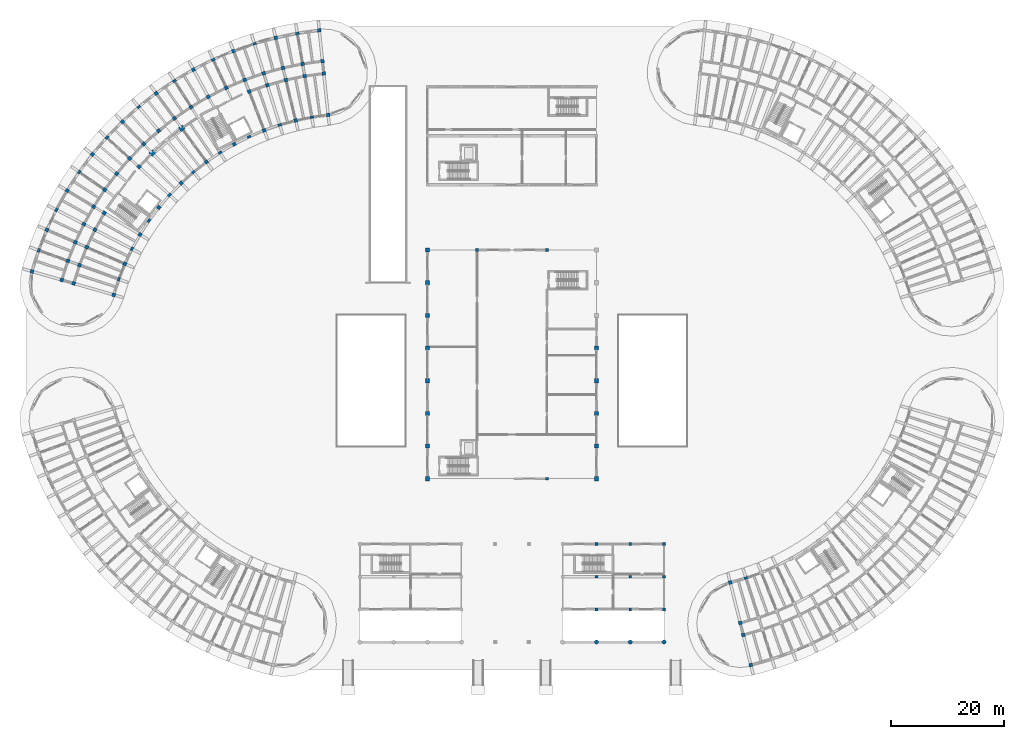
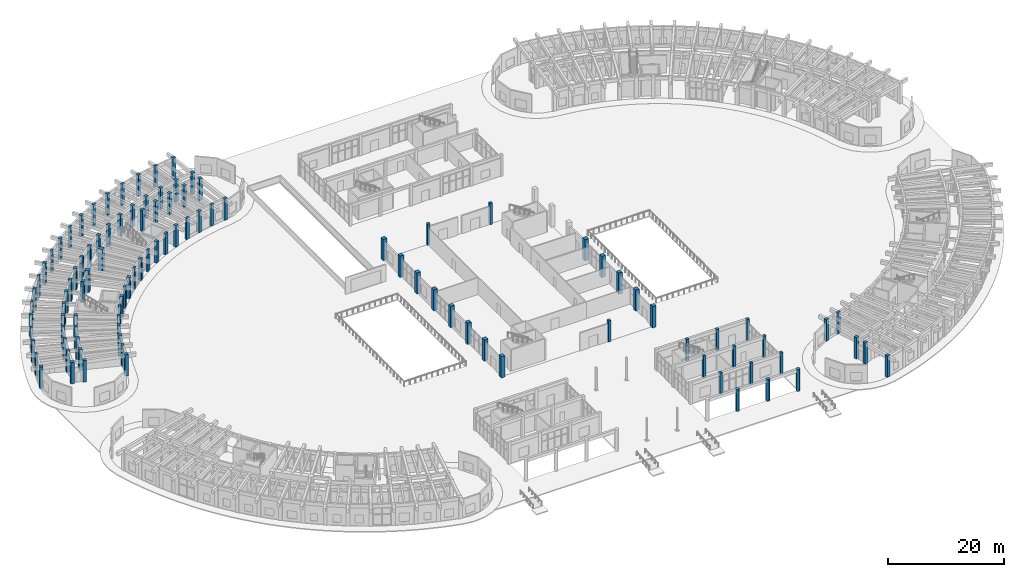
# One storey, part 4 of 132: 103 columns.
"""IFC4 building model written with IfcOpenShell, lengths in metres."""

from ifc_helpers import new_model, si_unit, direction, frame, origin, origin_2d, place, context, subcontext, project, spatial, rectangle, circle, extrude, material, material_profile, profile_set, type_object, element, save


model = new_model("IFC4")

# Units and contexts
model_context = context("Model", 3, precision=1e-05, world=origin(), true_north=direction((0.0, 1.0)))
body_context = subcontext(model_context, "Body", "Model", "MODEL_VIEW")
ifc_project = project(units=[si_unit("LENGTHUNIT", "METRE"), si_unit("AREAUNIT", "SQUARE_METRE"), si_unit("VOLUMEUNIT", "CUBIC_METRE"), si_unit("PLANEANGLEUNIT", "RADIAN"), si_unit("MASSUNIT", "GRAM", prefix="KILO")], contexts=[model_context])

# Site, building, storey
site_placement = place(None, origin())
site = spatial("IfcSite", under=ifc_project, at=site_placement, CompositionType="ELEMENT")
building_placement = place(site_placement, origin())
building = spatial("IfcBuilding", under=site, at=building_placement, Name="Tanwirah Colonnade Gardens", CompositionType="ELEMENT")
storey_placement = place(building_placement, origin())
storey = spatial("IfcBuildingStorey", under=building, at=storey_placement, Name="L00", CompositionType="ELEMENT", Elevation=0.0)

# Columns
ifc_material_1 = material(Name="Precast concrete C40/50", Category="concrete")
ifc_material_profile_1 = material_profile(ifc_material_1, rectangle(XDim=0.5, YDim=0.5, at=origin_2d()), Name="PC-COL 500x500")
ifc_profile_set_1 = profile_set([ifc_material_profile_1], Name="Precast concrete C40/50")
column_type_1 = type_object("IfcColumnType", Name="C-PC500", PredefinedType="COLUMN", material=ifc_profile_set_1)
for number, where, z_axis, x_axis, name in (
    (1, (86.800048828125, 80.39990234375, 0.0), (0.0, 0.0, 1.0), (1.0, 0.0, 0.0), "Community Hall L00 Column 1.7"),
    (2, (99.199951171875, 39.800048828125, 0.0), (0.0, 0.0, 1.0), (1.0, 0.0, 0.0), "Community Hall L00 Column 2.0"),
    (3, (99.199951171875, 80.39990234375, 0.0), (0.0, 0.0, 1.0), (1.0, 0.0, 0.0), "Community Hall L00 Column 2.7"),
):
    element("IfcColumn", number, at=place(storey_placement, frame(where, z_axis=z_axis, x_axis=x_axis)), inside=storey, type_object=column_type_1, Name=name, PredefinedType="COLUMN", context=body_context, shape_type="SweptSolid", body=[
        extrude(rectangle(XDim=0.5, YDim=0.5, at=origin_2d()), origin(), (0.0, 0.0, 1.0), 4.465087890625),
    ])
for number, where, z_axis, x_axis, name in (
    (4, (108.0, 16.60009765625, 0.0), (0.0, 0.0, 1.0), (1.0, 0.0, 0.0), "Boulevard Shops E L00 Column 1.1"),
    (5, (108.0, 22.39990234375, 0.0), (0.0, 0.0, 1.0), (1.0, 0.0, 0.0), "Boulevard Shops E L00 Column 1.2"),
    (6, (108.0, 28.199951171875, 0.0), (0.0, 0.0, 1.0), (1.0, 0.0, 0.0), "Boulevard Shops E L00 Column 1.3"),
    (7, (114.0, 16.60009765625, 0.0), (0.0, 0.0, 1.0), (1.0, 0.0, 0.0), "Boulevard Shops E L00 Column 2.1"),
    (8, (114.0, 22.39990234375, 0.0), (0.0, 0.0, 1.0), (1.0, 0.0, 0.0), "Boulevard Shops E L00 Column 2.2"),
    (9, (114.0, 28.199951171875, 0.0), (0.0, 0.0, 1.0), (1.0, 0.0, 0.0), "Boulevard Shops E L00 Column 2.3"),
    (10, (120.0, 16.60009765625, 0.0), (0.0, 0.0, 1.0), (1.0, 0.0, 0.0), "Boulevard Shops E L00 Column 3.1"),
    (11, (120.0, 22.39990234375, 0.0), (0.0, 0.0, 1.0), (1.0, 0.0, 0.0), "Boulevard Shops E L00 Column 3.2"),
    (12, (120.0, 28.199951171875, 0.0), (0.0, 0.0, 1.0), (1.0, 0.0, 0.0), "Boulevard Shops E L00 Column 3.3"),
):
    element("IfcColumn", number, at=place(storey_placement, frame(where, z_axis=z_axis, x_axis=x_axis)), inside=storey, type_object=column_type_1, Name=name, PredefinedType="COLUMN", context=body_context, shape_type="SweptSolid", body=[
        extrude(rectangle(XDim=0.5, YDim=0.5, at=origin_2d()), origin(), (0.0, 0.0, 1.0), 4.489990234375),
    ])
ifc_material_2 = material(Name="Precast concrete C45/55", Category="concrete")
ifc_material_profile_2 = material_profile(ifc_material_2, rectangle(XDim=0.610107421875, YDim=0.610107421875, at=origin_2d()), Name="PC-COL 610x610")
ifc_profile_set_2 = profile_set([ifc_material_profile_2], Name="Precast concrete C45/55")
column_type_2 = type_object("IfcColumnType", Name="C-PC580", PredefinedType="COLUMN", material=ifc_profile_set_2)
for number, where, z_axis, x_axis, name in (
    (13, (131.75341796875, 21.370361328125, 0.0), (0.0, 0.0, 1.0), (0.2419218956, -0.970295726276, 0.0), "Block D L00 Column 0-R0"),
    (14, (133.543701171875, 14.190185546875, 0.0), (0.0, 0.0, 1.0), (0.2419218956, -0.970295726276, 0.0), "Block D L00 Column 0-R1"),
    (15, (134.075927734375, 12.055419921875, 0.0), (0.0, 0.0, 1.0), (0.2419218956, -0.970295726276, 0.0), "Block D L00 Column 0-R2"),
    (16, (135.406494140625, 6.718994140625, 0.0), (0.0, 0.0, 1.0), (0.2419218956, -0.970295726276, 0.0), "Block D L00 Column 0-R3"),
):
    element("IfcColumn", number, at=place(storey_placement, frame(where, z_axis=z_axis, x_axis=x_axis)), inside=storey, type_object=column_type_2, Name=name, PredefinedType="COLUMN", context=body_context, shape_type="SweptSolid", body=[
        extrude(rectangle(XDim=0.610107421875, YDim=0.610107421875, at=origin_2d()), origin(), (0.0, 0.0, 1.0), 4.485107421875),
    ])
ifc_material_profile_3 = material_profile(ifc_material_2, rectangle(XDim=0.6201171875, YDim=0.6201171875, at=origin_2d()), Name="PC-COL 620x620")
ifc_profile_set_3 = profile_set([ifc_material_profile_3], Name="Precast concrete C45/55")
column_type_3 = type_object("IfcColumnType", Name="C-PC620", PredefinedType="COLUMN", material=ifc_profile_set_3)
for number, where, z_axis, x_axis, name in (
    (17, (60.353759765625, 104.406494140625, 0.0), (0.0, 0.0, 1.0), (-0.104528463268, 0.994521895368, 0.0), "Block A L00 Column 0-R0"),
    (18, (59.580078125, 111.765869140625, 0.0), (0.0, 0.0, 1.0), (-0.104528463268, 0.994521895368, 0.0), "Block A L00 Column 0-R1"),
    (19, (59.350341796875, 113.953857421875, 0.0), (0.0, 0.0, 1.0), (-0.104528463268, 0.994521895368, 0.0), "Block A L00 Column 0-R2"),
    (20, (58.775390625, 119.423828125, 0.0), (0.0, 0.0, 1.0), (-0.104528463268, 0.994521895368, 0.0), "Block A L00 Column 0-R3"),
    (21, (56.1943359375, 111.296875, 0.0), (0.0, 0.0, 1.0), (-0.169827298811, 0.985473839622, 0.0), "Block A L00 Column 1-R1"),
    (22, (55.82080078125, 113.46484375, 0.0), (0.0, 0.0, 1.0), (-0.169827298811, 0.985473839622, 0.0), "Block A L00 Column 1-R2"),
    (23, (54.58154296875, 103.411865234375, 0.0), (0.0, 0.0, 1.0), (-0.23438809799, 0.972143106503, 0.0), "Block A L00 Column 2-R0"),
    (24, (52.846923828125, 110.605712890625, 0.0), (0.0, 0.0, 1.0), (-0.23438809799, 0.972143106503, 0.0), "Block A L00 Column 2-R1"),
    (25, (52.331298828125, 112.744384765625, 0.0), (0.0, 0.0, 1.0), (-0.23438809799, 0.972143106503, 0.0), "Block A L00 Column 2-R2"),
    (26, (51.042236328125, 118.091064453125, 0.0), (0.0, 0.0, 1.0), (-0.23438809799, 0.972143106503, 0.0), "Block A L00 Column 2-R3"),
    (27, (49.55224609375, 109.6953125, 0.0), (0.0, 0.0, 1.0), (-0.297930292146, 0.954587628781, 0.0), "Block A L00 Column 3-R1"),
    (28, (48.89697265625, 111.79541015625, 0.0), (0.0, 0.0, 1.0), (-0.297930292146, 0.954587628781, 0.0), "Block A L00 Column 3-R2"),
    (29, (48.989990234375, 101.666748046875, 0.0), (0.0, 0.0, 1.0), (-0.360177739278, 0.932883699144, 0.0), "Block A L00 Column 4-R0"),
    (30, (46.32470703125, 108.570068359375, 0.0), (0.0, 0.0, 1.0), (-0.360177739278, 0.932883699144, 0.0), "Block A L00 Column 4-R1"),
    (31, (45.532470703125, 110.622314453125, 0.0), (0.0, 0.0, 1.0), (-0.360177739278, 0.932883699144, 0.0), "Block A L00 Column 4-R2"),
    (32, (43.551513671875, 115.753173828125, 0.0), (0.0, 0.0, 1.0), (-0.360177739278, 0.932883699144, 0.0), "Block A L00 Column 4-R3"),
    (33, (42.25244140625, 109.230224609375, 0.0), (0.0, 0.0, 1.0), (-0.420859924104, 0.907125638643, 0.0), "Block A L00 Column 5-R2"),
    (34, (43.6767578125, 99.20166015625, 0.0), (0.0, 0.0, 1.0), (-0.479713133669, 0.877425386791, 0.0), "Block A L00 Column 6-R0"),
    (35, (39.071533203125, 107.624755859375, 0.0), (0.0, 0.0, 1.0), (-0.479713133669, 0.877425386791, 0.0), "Block A L00 Column 6-R2"),
    (36, (36.43310546875, 112.45068359375, 0.0), (0.0, 0.0, 1.0), (-0.479713133669, 0.877425386791, 0.0), "Block A L00 Column 6-R3"),
    (37, (36.003173828125, 105.8134765625, 0.0), (0.0, 0.0, 1.0), (-0.536481603385, 0.843912015099, 0.0), "Block A L00 Column 7-R2"),
    (38, (38.733642578125, 96.05908203125, 0.0), (0.0, 0.0, 1.0), (-0.590918628541, 0.806731166153, 0.0), "Block A L00 Column 8-R0"),
    (39, (33.060791015625, 103.8037109375, 0.0), (0.0, 0.0, 1.0), (-0.590918628541, 0.806731166153, 0.0), "Block A L00 Column 8-R2"),
    (40, (29.810791015625, 108.24072265625, 0.0), (0.0, 0.0, 1.0), (-0.590918628541, 0.806731166153, 0.0), "Block A L00 Column 8-R3"),
    (41, (30.25732421875, 101.604736328125, 0.0), (0.0, 0.0, 1.0), (-0.642787636427, 0.766044420681, 0.0), "Block A L00 Column 9-R2"),
    (42, (34.24658203125, 92.294189453125, 0.0), (0.0, 0.0, 1.0), (-0.691863214436, 0.722028595355, 0.0), "Block A L00 Column 10-R0"),
    (43, (27.604736328125, 99.2255859375, 0.0), (0.0, 0.0, 1.0), (-0.691863214436, 0.722028595355, 0.0), "Block A L00 Column 10-R2"),
    (44, (23.799560546875, 103.19677734375, 0.0), (0.0, 0.0, 1.0), (-0.691863214436, 0.722028595355, 0.0), "Block A L00 Column 10-R3"),
    (45, (26.73828125, 95.1923828125, 0.0), (0.0, 0.0, 1.0), (-0.737932089665, 0.674874974378, 0.0), "Block A L00 Column 11-R1"),
    (46, (25.11474609375, 96.677001953125, 0.0), (0.0, 0.0, 1.0), (-0.737932089665, 0.674874974378, 0.0), "Block A L00 Column 11-R2"),
    (47, (30.293701171875, 87.971923828125, 0.0), (0.0, 0.0, 1.0), (-0.780794055756, 0.624788478204, 0.0), "Block A L00 Column 12-R0"),
    (48, (22.798095703125, 93.9697265625, 0.0), (0.0, 0.0, 1.0), (-0.780794055756, 0.624788478204, 0.0), "Block A L00 Column 12-R2"),
    (49, (18.503662109375, 97.40625, 0.0), (0.0, 0.0, 1.0), (-0.780794055756, 0.624788478204, 0.0), "Block A L00 Column 12-R3"),
    (50, (20.664794921875, 91.115966796875, 0.0), (0.0, 0.0, 1.0), (-0.82026284295, 0.57198677299, 0.0), "Block A L00 Column 13-R2"),
    (51, (26.943359375, 83.167236328125, 0.0), (0.0, 0.0, 1.0), (-0.856166927587, 0.516699324663, 0.0), "Block A L00 Column 14-R0"),
    (52, (20.607666015625, 86.990966796875, 0.0), (0.0, 0.0, 1.0), (-0.856166927587, 0.516699324663, 0.0), "Block A L00 Column 14-R1"),
    (53, (18.72412109375, 88.127685546875, 0.0), (0.0, 0.0, 1.0), (-0.856166927587, 0.516699324663, 0.0), "Block A L00 Column 14-R2"),
    (54, (14.015380859375, 90.969482421875, 0.0), (0.0, 0.0, 1.0), (-0.856166927587, 0.516699324663, 0.0), "Block A L00 Column 14-R3"),
    (55, (18.93896484375, 84.0078125, 0.0), (0.0, 0.0, 1.0), (-0.888350277506, 0.459166401705, 0.0), "Block A L00 Column 15-R1"),
    (56, (16.984619140625, 85.017822265625, 0.0), (0.0, 0.0, 1.0), (-0.888350277506, 0.459166401705, 0.0), "Block A L00 Column 15-R2"),
    (57, (24.25390625, 77.9638671875, 0.0), (0.0, 0.0, 1.0), (-0.916673030138, 0.399638030994, 0.0), "Block A L00 Column 16-R0"),
    (58, (17.470458984375, 80.921142578125, 0.0), (0.0, 0.0, 1.0), (-0.916673030138, 0.399638030994, 0.0), "Block A L00 Column 16-R1"),
    (59, (15.453857421875, 81.800537109375, 0.0), (0.0, 0.0, 1.0), (-0.916673030138, 0.399638030994, 0.0), "Block A L00 Column 16-R2"),
    (60, (10.412109375, 83.99853515625, 0.0), (0.0, 0.0, 1.0), (-0.916673030138, 0.399638030994, 0.0), "Block A L00 Column 16-R3"),
    (61, (16.20849609375, 77.74462890625, 0.0), (0.0, 0.0, 1.0), (-0.941012100316, 0.338372911236, 0.0), "Block A L00 Column 17-R1"),
    (62, (14.13818359375, 78.489013671875, 0.0), (0.0, 0.0, 1.0), (-0.941012100316, 0.338372911236, 0.0), "Block A L00 Column 17-R2"),
    (63, (22.27197265625, 72.4521484375, 0.0), (0.0, 0.0, 1.0), (-0.961261715181, 0.275637288708, 0.0), "Block A L00 Column 18-R0"),
    (64, (15.15869140625, 74.49169921875, 0.0), (0.0, 0.0, 1.0), (-0.961261715181, 0.275637288708, 0.0), "Block A L00 Column 18-R1"),
    (65, (13.043701171875, 75.09814453125, 0.0), (0.0, 0.0, 1.0), (-0.961261715181, 0.275637288708, 0.0), "Block A L00 Column 18-R2"),
    (66, (7.7568359375, 76.6142578125, 0.0), (0.0, 0.0, 1.0), (-0.961261715181, 0.275637288708, 0.0), "Block A L00 Column 18-R3"),
):
    element("IfcColumn", number, at=place(storey_placement, frame(where, z_axis=z_axis, x_axis=x_axis)), inside=storey, type_object=column_type_3, Name=name, PredefinedType="COLUMN", context=body_context, shape_type="SweptSolid", body=[
        extrude(rectangle(XDim=0.6201171875, YDim=0.6201171875, at=origin_2d()), origin(), (0.0, 0.0, 1.0), 4.485107421875),
    ])
ifc_material_3 = material(Name="Concrete C45/55", Category="concrete")
ifc_material_profile_4 = material_profile(ifc_material_3, rectangle(XDim=0.75, YDim=0.75, at=origin_2d()), Name="RC-COL 750x750")
ifc_profile_set_4 = profile_set([ifc_material_profile_4], Name="Concrete C45/55")
column_type_4 = type_object("IfcColumnType", Name="C-RC750", PredefinedType="COLUMN", material=ifc_profile_set_4)
for number, where, z_axis, x_axis, name in (
    (67, (78.0, 39.800048828125, 0.0), (0.0, 0.0, 1.0), (1.0, 0.0, 0.0), "Community Hall L00 Column 0.0"),
    (68, (78.0, 45.60009765625, 0.0), (0.0, 0.0, 1.0), (1.0, 0.0, 0.0), "Community Hall L00 Column 0.1"),
    (69, (78.0, 51.39990234375, 0.0), (0.0, 0.0, 1.0), (1.0, 0.0, 0.0), "Community Hall L00 Column 0.2"),
    (70, (78.0, 57.199951171875, 0.0), (0.0, 0.0, 1.0), (1.0, 0.0, 0.0), "Community Hall L00 Column 0.3"),
    (71, (78.0, 63.0, 0.0), (0.0, 0.0, 1.0), (1.0, 0.0, 0.0), "Community Hall L00 Column 0.4"),
    (72, (78.0, 68.800048828125, 0.0), (0.0, 0.0, 1.0), (1.0, 0.0, 0.0), "Community Hall L00 Column 0.5"),
    (73, (78.0, 74.60009765625, 0.0), (0.0, 0.0, 1.0), (1.0, 0.0, 0.0), "Community Hall L00 Column 0.6"),
    (74, (78.0, 80.39990234375, 0.0), (0.0, 0.0, 1.0), (1.0, 0.0, 0.0), "Community Hall L00 Column 0.7"),
    (75, (108.0, 39.800048828125, 0.0), (0.0, 0.0, 1.0), (1.0, 0.0, 0.0), "Community Hall L00 Column 3.0"),
    (76, (108.0, 45.60009765625, 0.0), (0.0, 0.0, 1.0), (1.0, 0.0, 0.0), "Community Hall L00 Column 3.1"),
    (77, (108.0, 51.39990234375, 0.0), (0.0, 0.0, 1.0), (1.0, 0.0, 0.0), "Community Hall L00 Column 3.2"),
    (78, (108.0, 57.199951171875, 0.0), (0.0, 0.0, 1.0), (1.0, 0.0, 0.0), "Community Hall L00 Column 3.3"),
    (79, (108.0, 63.0, 0.0), (0.0, 0.0, 1.0), (1.0, 0.0, 0.0), "Community Hall L00 Column 3.4"),
):
    element("IfcColumn", number, at=place(storey_placement, frame(where, z_axis=z_axis, x_axis=x_axis)), inside=storey, type_object=column_type_4, Name=name, PredefinedType="COLUMN", context=body_context, shape_type="SweptSolid", body=[
        extrude(rectangle(XDim=0.75, YDim=0.75, at=origin_2d()), origin(), (0.0, 0.0, 1.0), 4.465087890625),
    ])
ifc_material_4 = material(Name="Concrete C50/60", Category="concrete")
ifc_material_profile_5 = material_profile(ifc_material_4, rectangle(XDim=0.85009765625, YDim=0.85009765625, at=origin_2d()), Name="RC-COL 850x850")
ifc_profile_set_5 = profile_set([ifc_material_profile_5], Name="Concrete C50/60")
column_type_5 = type_object("IfcColumnType", Name="C-RC850", PredefinedType="COLUMN", material=ifc_profile_set_5)
for number, where, z_axis, x_axis, name in (
    (80, (34.36083984375, 102.029052734375, 0.0), (0.0, 0.0, 1.0), (-0.590918628541, 0.806731166153, 0.0), "Block A L00 Column 8-R1"),
    (81, (29.126953125, 97.63720703125, 0.0), (0.0, 0.0, 1.0), (-0.691863214436, 0.722028595355, 0.0), "Block A L00 Column 10-R1"),
):
    element("IfcColumn", number, at=place(storey_placement, frame(where, z_axis=z_axis, x_axis=x_axis)), inside=storey, type_object=column_type_5, Name=name, PredefinedType="COLUMN", context=body_context, shape_type="SweptSolid", body=[
        extrude(rectangle(XDim=0.85009765625, YDim=0.85009765625, at=origin_2d()), origin(), (0.0, 0.0, 1.0), 4.485107421875),
    ])
ifc_material_profile_6 = material_profile(ifc_material_2, circle(Radius=0.360107421875, at=origin_2d()), Name="PC-DCOL D720")
ifc_profile_set_6 = profile_set([ifc_material_profile_6], Name="Precast concrete C45/55")
column_type_6 = type_object("IfcColumnType", Name="DCOL-650", PredefinedType="COLUMN", material=ifc_profile_set_6)
for number, where, z_axis, x_axis, name in (
    (82, (108.0, 10.800048828125, 0.0), (0.0, 0.0, 1.0), (1.0, 0.0, 0.0), "Boulevard Shops E L00 Column 1.0"),
    (83, (114.0, 10.800048828125, 0.0), (0.0, 0.0, 1.0), (1.0, 0.0, 0.0), "Boulevard Shops E L00 Column 2.0"),
    (84, (120.0, 10.800048828125, 0.0), (0.0, 0.0, 1.0), (1.0, 0.0, 0.0), "Boulevard Shops E L00 Column 3.0"),
):
    element("IfcColumn", number, at=place(storey_placement, frame(where, z_axis=z_axis, x_axis=x_axis)), inside=storey, type_object=column_type_6, Name=name, PredefinedType="COLUMN", context=body_context, shape_type="SweptSolid", body=[
        extrude(circle(Radius=0.360107421875, at=origin_2d()), origin(), (0.0, 0.0, 1.0), 4.530029296875),
    ])
ifc_material_profile_7 = material_profile(ifc_material_2, rectangle(XDim=0.429931640625, YDim=0.68994140625, at=origin_2d()), Name="PC-PIL 430x690")
ifc_profile_set_7 = profile_set([ifc_material_profile_7], Name="Precast concrete C45/55")
column_type_7 = type_object("IfcColumnType", Name="PIL-400", PredefinedType="PILASTER", material=ifc_profile_set_7)
column_placement = place(storey_placement, frame((134.55126953125, 22.166015625, 0.0), z_axis=(0.0, 0.0, 1.0), x_axis=(0.304864299028, -0.952395799643, 0.0)))
element("IfcColumn", 85, at=column_placement, inside=storey, type_object=column_type_7, Name="Block D L00 Column 1-R0", PredefinedType="PILASTER", context=body_context, shape_type="SweptSolid", body=[
    extrude(rectangle(XDim=0.429931640625, YDim=0.68994140625, at=origin_2d()), origin(), (0.0, 0.0, 1.0), 4.485107421875),
])
ifc_material_profile_8 = material_profile(ifc_material_2, rectangle(XDim=0.419921875, YDim=0.679931640625, at=origin_2d()), Name="PC-PIL 420x680")
ifc_profile_set_8 = profile_set([ifc_material_profile_8], Name="Precast concrete C45/55")
column_type_8 = type_object("IfcColumnType", Name="PIL-420", PredefinedType="PILASTER", material=ifc_profile_set_8)
for number, where, z_axis, x_axis, name in (
    (86, (57.451171875, 104.00439453125, 0.0), (0.0, 0.0, 1.0), (-0.169827298811, 0.985473839622, 0.0), "Block A L00 Column 1-R0"),
    (87, (54.88671875, 118.885009765625, 0.0), (0.0, 0.0, 1.0), (-0.169827298811, 0.985473839622, 0.0), "Block A L00 Column 1-R3"),
    (88, (51.757080078125, 102.63134765625, 0.0), (0.0, 0.0, 1.0), (-0.297930292146, 0.954587628781, 0.0), "Block A L00 Column 3-R0"),
    (89, (47.25830078125, 117.045654296875, 0.0), (0.0, 0.0, 1.0), (-0.297930292146, 0.954587628781, 0.0), "Block A L00 Column 3-R3"),
    (90, (46.292724609375, 100.521728515625, 0.0), (0.0, 0.0, 1.0), (-0.420859924104, 0.907125638643, 0.0), "Block A L00 Column 5-R0"),
    (91, (39.937744140625, 114.21923828125, 0.0), (0.0, 0.0, 1.0), (-0.420859924104, 0.907125638643, 0.0), "Block A L00 Column 5-R3"),
    (92, (41.1533203125, 97.7119140625, 0.0), (0.0, 0.0, 1.0), (-0.536481603385, 0.843912015099, 0.0), "Block A L00 Column 7-R0"),
    (93, (33.052490234375, 110.455078125, 0.0), (0.0, 0.0, 1.0), (-0.536481603385, 0.843912015099, 0.0), "Block A L00 Column 7-R3"),
    (94, (36.427978515625, 94.250732421875, 0.0), (0.0, 0.0, 1.0), (-0.642787636427, 0.766044420681, 0.0), "Block A L00 Column 9-R0"),
    (95, (26.721923828125, 105.81787109375, 0.0), (0.0, 0.0, 1.0), (-0.642787636427, 0.766044420681, 0.0), "Block A L00 Column 9-R3"),
    (96, (32.198974609375, 90.1982421875, 0.0), (0.0, 0.0, 1.0), (-0.737932089665, 0.674874974378, 0.0), "Block A L00 Column 11-R0"),
    (97, (21.05615234375, 100.388916015625, 0.0), (0.0, 0.0, 1.0), (-0.737932089665, 0.674874974378, 0.0), "Block A L00 Column 11-R3"),
    (98, (28.539306640625, 85.624755859375, 0.0), (0.0, 0.0, 1.0), (-0.82026284295, 0.57198677299, 0.0), "Block A L00 Column 13-R0"),
    (99, (16.1533203125, 94.26171875, 0.0), (0.0, 0.0, 1.0), (-0.82026284295, 0.57198677299, 0.0), "Block A L00 Column 13-R3"),
    (100, (25.512939453125, 80.60986328125, 0.0), (0.0, 0.0, 1.0), (-0.888350277506, 0.459166401705, 0.0), "Block A L00 Column 15-R0"),
    (101, (12.0986328125, 87.54345703125, 0.0), (0.0, 0.0, 1.0), (-0.888350277506, 0.459166401705, 0.0), "Block A L00 Column 15-R3"),
    (102, (23.172119140625, 75.24072265625, 0.0), (0.0, 0.0, 1.0), (-0.941012100316, 0.338372911236, 0.0), "Block A L00 Column 17-R0"),
    (103, (8.962646484375, 80.35009765625, 0.0), (0.0, 0.0, 1.0), (-0.941012100316, 0.338372911236, 0.0), "Block A L00 Column 17-R3"),
):
    element("IfcColumn", number, at=place(storey_placement, frame(where, z_axis=z_axis, x_axis=x_axis)), inside=storey, type_object=column_type_8, Name=name, PredefinedType="PILASTER", context=body_context, shape_type="SweptSolid", body=[
        extrude(rectangle(XDim=0.419921875, YDim=0.679931640625, at=origin_2d()), origin(), (0.0, 0.0, 1.0), 4.485107421875),
    ])

save(model, "model.ifc")
